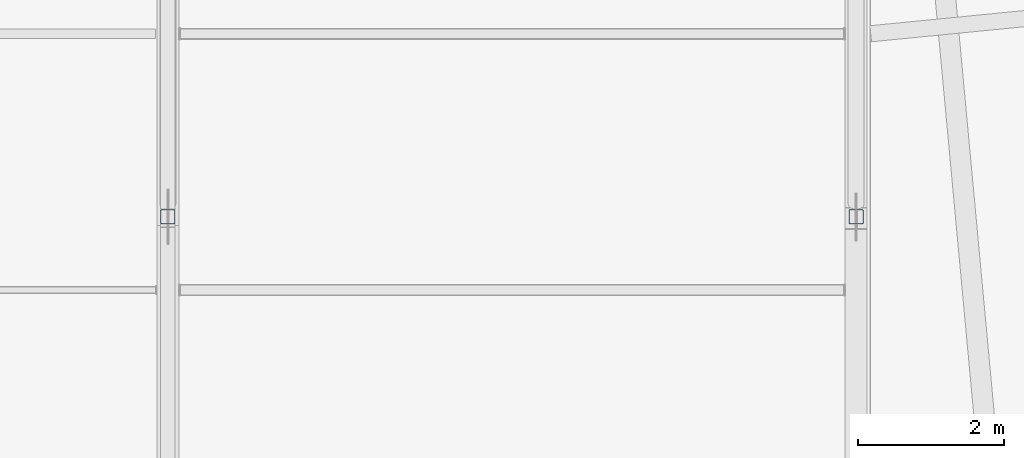
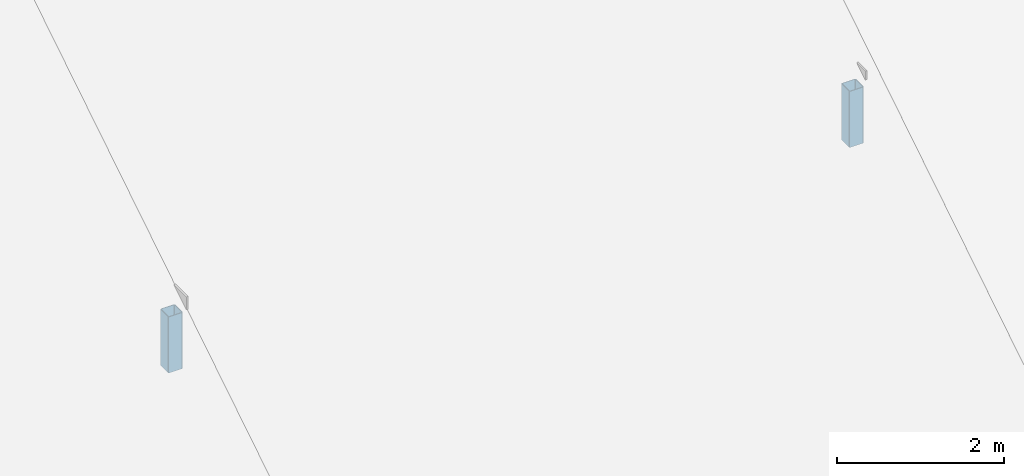
# One storey, part 27 of 66: 2 members.
"""IFC4 building model written with IfcOpenShell, lengths in metres."""

from ifc_helpers import new_model, si_unit, direction, frame, origin, origin_2d, place, context, subcontext, project, spatial, hollow_rectangle, extrude, material, material_profile, profile_set, type_object, element, save


model = new_model("IFC4")

# Units and contexts
model_context = context("Model", 3, precision=1e-05, world=origin(), true_north=direction((0.0, 1.0)))
body_context = subcontext(model_context, "Body", "Model", "MODEL_VIEW")
ifc_project = project(units=[si_unit("LENGTHUNIT", "METRE"), si_unit("AREAUNIT", "SQUARE_METRE"), si_unit("VOLUMEUNIT", "CUBIC_METRE"), si_unit("PLANEANGLEUNIT", "RADIAN"), si_unit("MASSUNIT", "GRAM", prefix="KILO")], contexts=[model_context])

# Site, building, storey
site_placement = place(None, origin())
site = spatial("IfcSite", under=ifc_project, at=site_placement, CompositionType="ELEMENT")
building_placement = place(site_placement, origin())
building = spatial("IfcBuilding", under=site, at=building_placement, Name="Yeouljin Market Hall", CompositionType="ELEMENT")
storey_placement = place(building_placement, frame((0.0, 0.0, 23.39990234375)))
storey = spatial("IfcBuildingStorey", under=building, at=storey_placement, Name="RF", CompositionType="ELEMENT", Elevation=23.39990234375)

# Members
ifc_material = material(Name="Steel SM355", Category="steel")
ifc_material_profile = material_profile(ifc_material, hollow_rectangle(XDim=0.199951171875, YDim=0.199951171875, WallThickness=0.008056640625, InnerFilletRadius=0.008056640625, OuterFilletRadius=0.01611328125, at=origin_2d()), Name="SHS-200x200x8")
ifc_profile_set = profile_set([ifc_material_profile], Name="Steel SM355")
member_type = type_object("IfcMemberType", Name="Strut_SHS-200x200x8", PredefinedType="STRUT", material=ifc_profile_set)
for number, where, z_axis, x_axis, name in (
    (1, (131.39990234375, 43.0, -8.897705078125), (0.0, 0.0, 1.0), (1.0, 0.0, 0.0), "Truss AT-11 vertical strut 1"),
    (2, (140.800048828125, 43.0, -8.897705078125), (0.0, 0.0, 1.0), (1.0, 0.0, 0.0), "Truss AT-12 vertical strut 1"),
):
    element("IfcMember", number, at=place(storey_placement, frame(where, z_axis=z_axis, x_axis=x_axis)), inside=storey, type_object=member_type, Name=name, PredefinedType="STRUT", context=body_context, shape_type="SweptSolid", body=[
        extrude(hollow_rectangle(XDim=0.199951171875, YDim=0.199951171875, WallThickness=0.008056640625, InnerFilletRadius=0.008056640625, OuterFilletRadius=0.01611328125, at=origin_2d()), origin(), (0.0, 0.0, 1.0), 0.81787109375),
    ])

save(model, "model.ifc")
